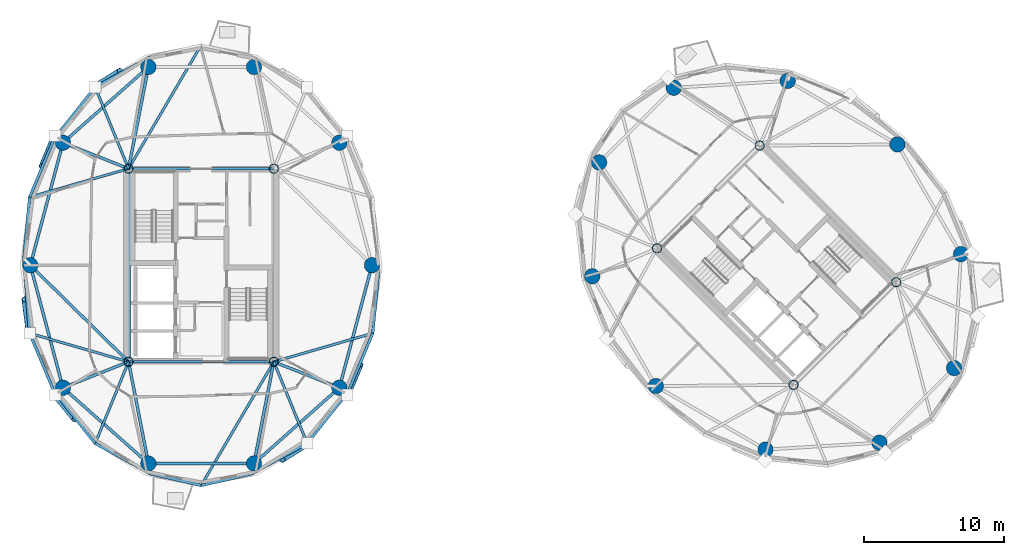
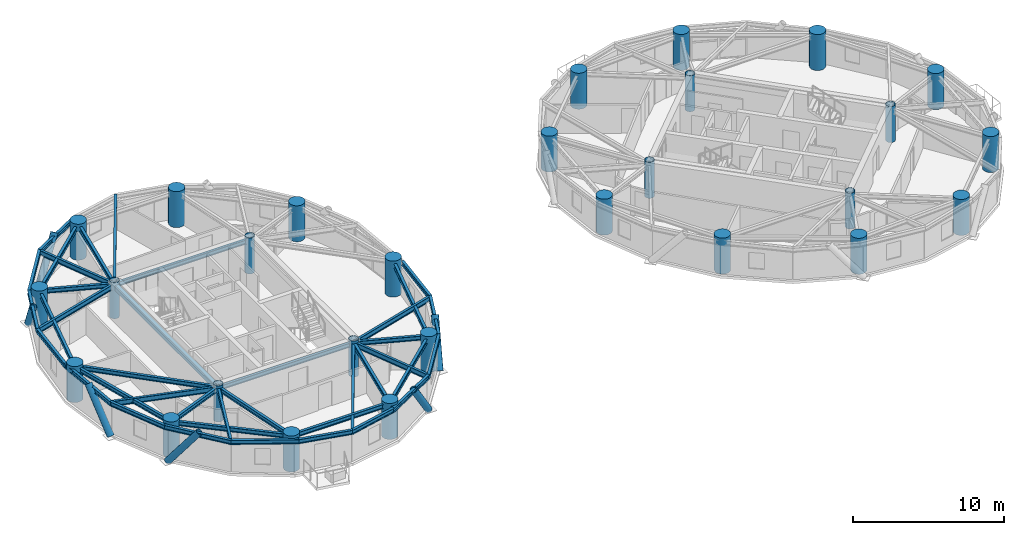
# One storey, part 1 of 16: 39 beams, 28 columns, 6 members.
"""IFC4 building model written with IfcOpenShell, lengths in metres."""

from ifc_helpers import new_model, si_unit, direction, frame, origin, origin_2d, place, context, subcontext, project, spatial, hollow_rectangle, circle, hollow_circle, i_section, extrude, material, material_profile, profile_set, type_object, element, save


model = new_model("IFC4")

# Units and contexts
model_context = context("Model", 3, precision=1e-05, world=origin(), true_north=direction((0.0, 1.0)))
body_context = subcontext(model_context, "Body", "Model", "MODEL_VIEW")
ifc_project = project(units=[si_unit("LENGTHUNIT", "METRE"), si_unit("AREAUNIT", "SQUARE_METRE"), si_unit("VOLUMEUNIT", "CUBIC_METRE"), si_unit("PLANEANGLEUNIT", "RADIAN"), si_unit("MASSUNIT", "GRAM", prefix="KILO")], contexts=[model_context])

# Site, building, storey
site_placement = place(None, origin())
site = spatial("IfcSite", under=ifc_project, at=site_placement, CompositionType="ELEMENT")
building_placement = place(site_placement, origin())
building = spatial("IfcBuilding", under=site, at=building_placement, Name="Cununo Teusaquillo Station Towers", CompositionType="ELEMENT")
storey_placement = place(building_placement, frame((0.0, 0.0, 208.300048828125)))
storey = spatial("IfcBuildingStorey", under=building, at=storey_placement, Name="L66", CompositionType="ELEMENT", Elevation=208.300048828125)

# Columns
ifc_material_1 = material(Name="Steel EN 10025-2 S355J2", Category="steel")
ifc_material_profile_1 = material_profile(ifc_material_1, hollow_circle(Radius=0.330078125, WallThickness=0.02490234375, at=origin_2d()), Name="CHS 660x25")
ifc_profile_set_1 = profile_set([ifc_material_profile_1], Name="Steel EN 10025-2 S355J2")
column_type_1 = type_object("IfcColumnType", Name="COL-CORE-Z3", PredefinedType="COLUMN", material=ifc_profile_set_1)
for number, where, z_axis, x_axis, name in (
    (1, (11.324951171875, 17.6201171875, 0.0), (0.0, 0.0, 1.0), (1.0, 0.0, 0.0), "L66 Tower A Core Column 1"),
    (2, (11.324951171875, 31.3798828125, 0.0), (0.0, 0.0, 1.0), (1.0, 0.0, 0.0), "L66 Tower A Core Column 2"),
    (3, (21.675048828125, 17.6201171875, 0.0), (0.0, 0.0, 1.0), (1.0, 0.0, 0.0), "L66 Tower A Core Column 3"),
    (4, (21.675048828125, 31.3798828125, 0.0), (0.0, 0.0, 1.0), (1.0, 0.0, 0.0), "L66 Tower A Core Column 4"),
    (5, (58.70556640625, 15.975830078125, 0.0), (0.0, 0.0, 1.0), (0.707106781187, 0.707106781187, 0.0), "L66 Tower B Core Column 1"),
    (6, (48.975830078125, 25.70556640625, 0.0), (0.0, 0.0, 1.0), (0.707106781187, 0.707106781187, 0.0), "L66 Tower B Core Column 2"),
    (7, (66.024169921875, 23.29443359375, 0.0), (0.0, 0.0, 1.0), (0.707106781187, 0.707106781187, 0.0), "L66 Tower B Core Column 3"),
    (8, (56.29443359375, 33.024169921875, 0.0), (0.0, 0.0, 1.0), (0.707106781187, 0.707106781187, 0.0), "L66 Tower B Core Column 4"),
):
    element("IfcColumn", number, at=place(storey_placement, frame(where, z_axis=z_axis, x_axis=x_axis)), inside=storey, type_object=column_type_1, Name=name, PredefinedType="COLUMN", context=body_context, shape_type="SweptSolid", body=[
        extrude(hollow_circle(Radius=0.330078125, WallThickness=0.02490234375, at=origin_2d()), origin(), (0.0, 0.0, 1.0), 2.909912109375),
    ])
ifc_material_2 = material(Name="Concrete C50/60", Category="concrete")
ifc_material_profile_2 = material_profile(ifc_material_2, circle(Radius=0.550048828125, at=origin_2d()), Name="RC-CIRC-1100")
ifc_profile_set_2 = profile_set([ifc_material_profile_2], Name="Concrete C50/60")
column_type_2 = type_object("IfcColumnType", Name="COL-MEGA-Z4", PredefinedType="USERDEFINED", material=ifc_profile_set_2)
for number, where, z_axis, x_axis, name in (
    (9, (28.672119140625, 24.5, 0.0), (0.0, 0.0, 1.0), (1.0, 0.0, 0.0), "L66 Tower A Perimeter Column V00"),
    (10, (26.347412109375, 33.228515625, 0.0), (0.0, 0.0, 1.0), (1.0, 0.0, 0.0), "L66 Tower A Perimeter Column V02"),
    (11, (20.261474609375, 38.623291015625, 0.0), (0.0, 0.0, 1.0), (1.0, 0.0, 0.0), "L66 Tower A Perimeter Column V04"),
    (12, (12.738525390625, 38.623291015625, 0.0), (0.0, 0.0, 1.0), (1.0, 0.0, 0.0), "L66 Tower A Perimeter Column V06"),
    (13, (6.652587890625, 33.228515625, 0.0), (0.0, 0.0, 1.0), (1.0, 0.0, 0.0), "L66 Tower A Perimeter Column V08"),
    (14, (4.327880859375, 24.5, 0.0), (0.0, 0.0, 1.0), (1.0, 0.0, 0.0), "L66 Tower A Perimeter Column V10"),
    (15, (6.652587890625, 15.771484375, 0.0), (0.0, 0.0, 1.0), (1.0, 0.0, 0.0), "L66 Tower A Perimeter Column V12"),
    (16, (12.738525390625, 10.376708984375, 0.0), (0.0, 0.0, 1.0), (1.0, 0.0, 0.0), "L66 Tower A Perimeter Column V14"),
    (17, (20.261474609375, 10.376708984375, 0.0), (0.0, 0.0, 1.0), (1.0, 0.0, 0.0), "L66 Tower A Perimeter Column V16"),
    (18, (26.347412109375, 15.771484375, 0.0), (0.0, 0.0, 1.0), (1.0, 0.0, 0.0), "L66 Tower A Perimeter Column V18"),
    (19, (66.10693359375, 33.10693359375, 0.0), (0.0, 0.0, 1.0), (1.0, 0.0, 0.0), "L66 Tower B Perimeter Column V00"),
    (20, (58.291015625, 37.63525390625, 0.0), (0.0, 0.0, 1.0), (1.0, 0.0, 0.0), "L66 Tower B Perimeter Column V02"),
    (21, (50.173095703125, 37.146240234375, 0.0), (0.0, 0.0, 1.0), (1.0, 0.0, 0.0), "L66 Tower B Perimeter Column V04"),
    (22, (44.853759765625, 31.826904296875, 0.0), (0.0, 0.0, 1.0), (1.0, 0.0, 0.0), "L66 Tower B Perimeter Column V06"),
    (23, (44.36474609375, 23.708984375, 0.0), (0.0, 0.0, 1.0), (1.0, 0.0, 0.0), "L66 Tower B Perimeter Column V08"),
    (24, (48.89306640625, 15.89306640625, 0.0), (0.0, 0.0, 1.0), (1.0, 0.0, 0.0), "L66 Tower B Perimeter Column V10"),
    (25, (56.708984375, 11.36474609375, 0.0), (0.0, 0.0, 1.0), (1.0, 0.0, 0.0), "L66 Tower B Perimeter Column V12"),
    (26, (64.826904296875, 11.853759765625, 0.0), (0.0, 0.0, 1.0), (1.0, 0.0, 0.0), "L66 Tower B Perimeter Column V14"),
    (27, (70.146240234375, 17.173095703125, 0.0), (0.0, 0.0, 1.0), (1.0, 0.0, 0.0), "L66 Tower B Perimeter Column V16"),
    (28, (70.63525390625, 25.291015625, 0.0), (0.0, 0.0, 1.0), (1.0, 0.0, 0.0), "L66 Tower B Perimeter Column V18"),
):
    element("IfcColumn", number, at=place(storey_placement, frame(where, z_axis=z_axis, x_axis=x_axis)), inside=storey, type_object=column_type_2, Name=name, ObjectType="MEGA COLUMN", PredefinedType="USERDEFINED", context=body_context, shape_type="SweptSolid", body=[
        extrude(circle(Radius=0.550048828125, at=origin_2d()), origin(), (0.0, 0.0, 1.0), 2.909912109375),
    ])

# Beams
ifc_material_3 = material(Name="Steel EN 10025-2 S355J2", Category="steel")
ifc_material_profile_3 = material_profile(ifc_material_3, hollow_rectangle(XDim=0.25, YDim=0.449951171875, WallThickness=0.01611328125, at=origin_2d()), Name="RHS 450x250x16")
ifc_profile_set_3 = profile_set([ifc_material_profile_3], Name="Steel EN 10025-2 S355J2")
beam_type_1 = type_object("IfcBeamType", Name="BM-COUP-1", PredefinedType="USERDEFINED", material=ifc_profile_set_3)
beam_1_placement = place(storey_placement, frame((11.324951171875, 17.6201171875, 2.474853515625), z_axis=(0.0, 1.0, 0.0), x_axis=(-1.0, 0.0, 0.0)))
element("IfcBeam", 29, at=beam_1_placement, inside=storey, type_object=beam_type_1, Name="L66 Tower A Core Beam 1", ObjectType="COUPLING BEAM", PredefinedType="USERDEFINED", context=body_context, shape_type="SweptSolid", body=[
    extrude(hollow_rectangle(XDim=0.25, YDim=0.449951171875, WallThickness=0.01611328125, at=origin_2d()), origin(), (0.0, 0.0, 1.0), 13.759765625),
])
ifc_material_4 = material(Name="Steel ASTM A572 Grade 50", Category="steel")
ifc_material_profile_4 = material_profile(ifc_material_4, i_section(OverallWidth=0.180908203125, OverallDepth=0.4169921875, WebThickness=0.010986328125, FlangeThickness=0.018310546875, FilletRadius=0.012939453125, at=origin_2d()), Name="W16X57")
ifc_profile_set_4 = profile_set([ifc_material_profile_4], Name="Steel ASTM A572 Grade 50")
beam_type_2 = type_object("IfcBeamType", Name="BM-JOIST-1", PredefinedType="JOIST", material=ifc_profile_set_4)
beam_2_placement = place(storey_placement, frame((11.324951171875, 31.3798828125, 2.491455078125), z_axis=(0.506486432091, 0.862247930765, 0.0), x_axis=(-0.862247930765, 0.506486432091, 0.0)))
element("IfcBeam", 30, at=beam_2_placement, inside=storey, type_object=beam_type_2, Name="L66 Tower A Radial Spandrel Joist V05", PredefinedType="JOIST", context=body_context, shape_type="SweptSolid", body=[
    extrude(i_section(OverallWidth=0.180908203125, OverallDepth=0.4169921875, WebThickness=0.010986328125, FlangeThickness=0.018310546875, FilletRadius=0.012939453125, at=origin_2d()), origin(), (0.0, 0.0, 1.0), 10.217529296875),
])
beam_3_placement = place(storey_placement, frame((11.324951171875, 31.3798828125, 2.491455078125), z_axis=(-0.378576847217, 0.925569862707, 0.0), x_axis=(-0.925569862707, -0.378576847217, 0.0)))
element("IfcBeam", 31, at=beam_3_placement, inside=storey, type_object=beam_type_2, Name="L66 Tower A Radial Spandrel Joist V07", PredefinedType="JOIST", context=body_context, shape_type="SweptSolid", body=[
    extrude(i_section(OverallWidth=0.180908203125, OverallDepth=0.4169921875, WebThickness=0.010986328125, FlangeThickness=0.018310546875, FilletRadius=0.012939453125, at=origin_2d()), origin(), (0.0, 0.0, 1.0), 6.28125),
])
for number, where, z_axis, x_axis, name in (
    (32, (11.324951171875, 31.3798828125, 2.491455078125), (-0.960861603375, -0.277028841748, 0.0), (0.277028841748, -0.960861603375, 0.0), "L66 Tower A Radial Spandrel Joist V09"),
    (33, (11.324951171875, 17.6201171875, 2.491455078125), (-0.960861603375, 0.277028841748, 0.0), (-0.277028841748, -0.960861603375, 0.0), "L66 Tower A Radial Spandrel Joist V11"),
):
    element("IfcBeam", number, at=place(storey_placement, frame(where, z_axis=z_axis, x_axis=x_axis)), inside=storey, type_object=beam_type_2, Name=name, PredefinedType="JOIST", context=body_context, shape_type="SweptSolid", body=[
        extrude(i_section(OverallWidth=0.180908203125, OverallDepth=0.4169921875, WebThickness=0.010986328125, FlangeThickness=0.018310546875, FilletRadius=0.012939453125, at=origin_2d()), origin(), (0.0, 0.0, 1.0), 7.333251953125),
    ])
beam_4_placement = place(storey_placement, frame((11.324951171875, 17.6201171875, 2.491455078125), z_axis=(-0.378576847217, -0.925569862707, 0.0), x_axis=(0.925569862707, -0.378576847217, 0.0)))
element("IfcBeam", 34, at=beam_4_placement, inside=storey, type_object=beam_type_2, Name="L66 Tower A Radial Spandrel Joist V13", PredefinedType="JOIST", context=body_context, shape_type="SweptSolid", body=[
    extrude(i_section(OverallWidth=0.180908203125, OverallDepth=0.4169921875, WebThickness=0.010986328125, FlangeThickness=0.018310546875, FilletRadius=0.012939453125, at=origin_2d()), origin(), (0.0, 0.0, 1.0), 6.28125),
])
beam_5_placement = place(storey_placement, frame((21.675048828125, 17.6201171875, 2.491455078125), z_axis=(-0.506486432091, -0.862247930765, 0.0), x_axis=(0.862247930765, -0.506486432091, 0.0)))
element("IfcBeam", 35, at=beam_5_placement, inside=storey, type_object=beam_type_2, Name="L66 Tower A Radial Spandrel Joist V15", PredefinedType="JOIST", context=body_context, shape_type="SweptSolid", body=[
    extrude(i_section(OverallWidth=0.180908203125, OverallDepth=0.4169921875, WebThickness=0.010986328125, FlangeThickness=0.018310546875, FilletRadius=0.012939453125, at=origin_2d()), origin(), (0.0, 0.0, 1.0), 10.217529296875),
])
beam_6_placement = place(storey_placement, frame((21.675048828125, 17.6201171875, 2.491455078125), z_axis=(0.378576847217, -0.925569862707, 0.0), x_axis=(0.925569862707, 0.378576847217, 0.0)))
element("IfcBeam", 36, at=beam_6_placement, inside=storey, type_object=beam_type_2, Name="L66 Tower A Radial Spandrel Joist V17", PredefinedType="JOIST", context=body_context, shape_type="SweptSolid", body=[
    extrude(i_section(OverallWidth=0.180908203125, OverallDepth=0.4169921875, WebThickness=0.010986328125, FlangeThickness=0.018310546875, FilletRadius=0.012939453125, at=origin_2d()), origin(), (0.0, 0.0, 1.0), 6.28125),
])
beam_7_placement = place(storey_placement, frame((21.675048828125, 17.6201171875, 2.491455078125), z_axis=(0.960861603375, 0.277028841748, 0.0), x_axis=(-0.277028841748, 0.960861603375, 0.0)))
element("IfcBeam", 37, at=beam_7_placement, inside=storey, type_object=beam_type_2, Name="L66 Tower A Radial Spandrel Joist V19", PredefinedType="JOIST", context=body_context, shape_type="SweptSolid", body=[
    extrude(i_section(OverallWidth=0.180908203125, OverallDepth=0.4169921875, WebThickness=0.010986328125, FlangeThickness=0.018310546875, FilletRadius=0.012939453125, at=origin_2d()), origin(), (0.0, 0.0, 1.0), 7.333251953125),
])
ifc_material_5 = material(Name="Steel ASTM A572 Grade 50", Category="steel")
ifc_material_profile_5 = material_profile(ifc_material_5, i_section(OverallWidth=0.2041015625, OverallDepth=0.35009765625, WebThickness=0.008544921875, FlangeThickness=0.01513671875, FilletRadius=0.011962890625, at=origin_2d()), Name="W14X48")
ifc_profile_set_5 = profile_set([ifc_material_profile_5], Name="Steel ASTM A572 Grade 50")
beam_type_3 = type_object("IfcBeamType", Name="BM-LINTEL-1", PredefinedType="LINTEL", material=ifc_profile_set_5)
for number, where, z_axis, x_axis, name in (
    (38, (11.324951171875, 17.6201171875, 2.52490234375), (1.0, 0.0, 0.0), (0.0, 1.0, 0.0), "L66 Tower A Core Beam 3"),
    (39, (11.324951171875, 31.3798828125, 2.52490234375), (1.0, 0.0, 0.0), (0.0, 1.0, 0.0), "L66 Tower A Core Beam 4"),
):
    element("IfcBeam", number, at=place(storey_placement, frame(where, z_axis=z_axis, x_axis=x_axis)), inside=storey, type_object=beam_type_3, Name=name, PredefinedType="LINTEL", context=body_context, shape_type="SweptSolid", body=[
        extrude(i_section(OverallWidth=0.2041015625, OverallDepth=0.35009765625, WebThickness=0.008544921875, FlangeThickness=0.01513671875, FilletRadius=0.011962890625, at=origin_2d()), origin(), (0.0, 0.0, 1.0), 10.35009765625),
    ])
ifc_material_6 = material(Name="Steel ASTM A572 Grade 50", Category="steel")
ifc_material_profile_6 = material_profile(ifc_material_6, i_section(OverallWidth=0.2041015625, OverallDepth=0.35009765625, WebThickness=0.008544921875, FlangeThickness=0.01513671875, FilletRadius=0.011962890625, at=origin_2d()), Name="W14X48")
ifc_profile_set_6 = profile_set([ifc_material_profile_6], Name="Steel ASTM A572 Grade 50")
beam_type_4 = type_object("IfcBeamType", Name="BM-RAD-G3", PredefinedType="BEAM", material=ifc_profile_set_6)
beam_8_placement = place(storey_placement, frame((11.324951171875, 31.3798828125, 2.52490234375), z_axis=(0.191548487699, 0.981483151593, 0.0), x_axis=(-0.981483151593, 0.191548487699, 0.0)))
element("IfcBeam", 40, at=beam_8_placement, inside=storey, type_object=beam_type_4, Name="L66 Tower A Continuous Overhanging Radial Girder 04", PredefinedType="BEAM", context=body_context, shape_type="SweptSolid", body=[
    extrude(i_section(OverallWidth=0.2041015625, OverallDepth=0.35009765625, WebThickness=0.008544921875, FlangeThickness=0.01513671875, FilletRadius=0.011962890625, at=origin_2d()), origin(), (0.0, 0.0, 1.0), 8.1240234375),
])
beam_9_placement = place(storey_placement, frame((11.324951171875, 31.3798828125, 2.52490234375), z_axis=(-0.929851670487, 0.36793460138, 0.0), x_axis=(-0.36793460138, -0.929851670487, 0.0)))
element("IfcBeam", 41, at=beam_9_placement, inside=storey, type_object=beam_type_4, Name="L66 Tower A Continuous Overhanging Radial Girder 05", PredefinedType="BEAM", context=body_context, shape_type="SweptSolid", body=[
    extrude(i_section(OverallWidth=0.2041015625, OverallDepth=0.35009765625, WebThickness=0.008544921875, FlangeThickness=0.01513671875, FilletRadius=0.011962890625, at=origin_2d()), origin(), (0.0, 0.0, 1.0), 5.71630859375),
])
beam_10_placement = place(storey_placement, frame((11.324951171875, 17.6201171875, 2.52490234375), z_axis=(-0.713052701438, 0.701110437073, 0.0), x_axis=(-0.701110437073, -0.713052701438, 0.0)))
element("IfcBeam", 42, at=beam_10_placement, inside=storey, type_object=beam_type_4, Name="L66 Tower A Radial Girder 06A", PredefinedType="BEAM", context=body_context, shape_type="SweptSolid", body=[
    extrude(i_section(OverallWidth=0.2041015625, OverallDepth=0.35009765625, WebThickness=0.008544921875, FlangeThickness=0.01513671875, FilletRadius=0.011962890625, at=origin_2d()), origin(), (0.0, 0.0, 1.0), 9.812744140625),
])
beam_11_placement = place(storey_placement, frame((11.324951171875, 17.6201171875, 2.52490234375), z_axis=(-0.929851670487, -0.36793460138, 0.0), x_axis=(0.36793460138, -0.929851670487, 0.0)))
element("IfcBeam", 43, at=beam_11_placement, inside=storey, type_object=beam_type_4, Name="L66 Tower A Continuous Overhanging Radial Girder 07", PredefinedType="BEAM", context=body_context, shape_type="SweptSolid", body=[
    extrude(i_section(OverallWidth=0.2041015625, OverallDepth=0.35009765625, WebThickness=0.008544921875, FlangeThickness=0.01513671875, FilletRadius=0.011962890625, at=origin_2d()), origin(), (0.0, 0.0, 1.0), 5.71630859375),
])
for number, where, z_axis, x_axis, name in (
    (44, (11.324951171875, 17.6201171875, 2.52490234375), (0.191548487699, -0.981483151593, 0.0), (0.981483151593, 0.191548487699, 0.0), "L66 Tower A Continuous Overhanging Radial Girder 08"),
    (45, (21.675048828125, 17.6201171875, 2.52490234375), (-0.191548487699, -0.981483151593, 0.0), (0.981483151593, -0.191548487699, 0.0), "L66 Tower A Continuous Overhanging Radial Girder 09"),
):
    element("IfcBeam", number, at=place(storey_placement, frame(where, z_axis=z_axis, x_axis=x_axis)), inside=storey, type_object=beam_type_4, Name=name, PredefinedType="BEAM", context=body_context, shape_type="SweptSolid", body=[
        extrude(i_section(OverallWidth=0.2041015625, OverallDepth=0.35009765625, WebThickness=0.008544921875, FlangeThickness=0.01513671875, FilletRadius=0.011962890625, at=origin_2d()), origin(), (0.0, 0.0, 1.0), 8.1240234375),
    ])
beam_12_placement = place(storey_placement, frame((21.675048828125, 17.6201171875, 2.52490234375), z_axis=(0.929851670487, -0.36793460138, 0.0), x_axis=(0.36793460138, 0.929851670487, 0.0)))
element("IfcBeam", 46, at=beam_12_placement, inside=storey, type_object=beam_type_4, Name="L66 Tower A Continuous Overhanging Radial Girder 10", PredefinedType="BEAM", context=body_context, shape_type="SweptSolid", body=[
    extrude(i_section(OverallWidth=0.2041015625, OverallDepth=0.35009765625, WebThickness=0.008544921875, FlangeThickness=0.01513671875, FilletRadius=0.011962890625, at=origin_2d()), origin(), (0.0, 0.0, 1.0), 5.71630859375),
])
ifc_material_7 = material(Name="Steel ASTM A572 Grade 50", Category="steel")
ifc_material_profile_7 = material_profile(ifc_material_7, i_section(OverallWidth=0.2041015625, OverallDepth=0.35009765625, WebThickness=0.008544921875, FlangeThickness=0.01513671875, FilletRadius=0.011962890625, at=origin_2d()), Name="W14X48")
ifc_profile_set_7 = profile_set([ifc_material_profile_7], Name="Steel ASTM A572 Grade 50")
beam_type_5 = type_object("IfcBeamType", Name="BM-RING-Z4", PredefinedType="SPANDREL", material=ifc_profile_set_7)
beam_13_placement = place(storey_placement, frame((12.738525390625, 38.623291015625, 2.52490234375), z_axis=(-0.74832120039, -0.66333655187, 0.0), x_axis=(0.66333655187, -0.74832120039, 0.0)))
element("IfcBeam", 47, at=beam_13_placement, inside=storey, type_object=beam_type_5, Name="L66 Tower A Structural Column Ring Girder 04", PredefinedType="SPANDREL", context=body_context, shape_type="SweptSolid", body=[
    extrude(i_section(OverallWidth=0.2041015625, OverallDepth=0.35009765625, WebThickness=0.008544921875, FlangeThickness=0.01513671875, FilletRadius=0.011962890625, at=origin_2d()), origin(), (0.0, 0.0, 1.0), 8.1328125),
])
for number, where, z_axis, x_axis, name in (
    (48, (6.652587890625, 33.228515625, 2.52490234375), (-0.257363196347, -0.966314744359, 0.0), (0.966314744359, -0.257363196347, 0.0), "L66 Tower A Structural Column Ring Girder 05"),
    (49, (4.327880859375, 24.5, 2.52490234375), (0.257363196347, -0.966314744359, 0.0), (0.966314744359, 0.257363196347, 0.0), "L66 Tower A Structural Column Ring Girder 06"),
):
    element("IfcBeam", number, at=place(storey_placement, frame(where, z_axis=z_axis, x_axis=x_axis)), inside=storey, type_object=beam_type_5, Name=name, PredefinedType="SPANDREL", context=body_context, shape_type="SweptSolid", body=[
        extrude(i_section(OverallWidth=0.2041015625, OverallDepth=0.35009765625, WebThickness=0.008544921875, FlangeThickness=0.01513671875, FilletRadius=0.011962890625, at=origin_2d()), origin(), (0.0, 0.0, 1.0), 9.03271484375),
    ])
beam_14_placement = place(storey_placement, frame((6.652587890625, 15.771484375, 2.52490234375), z_axis=(0.74832120039, -0.66333655187, 0.0), x_axis=(0.66333655187, 0.74832120039, 0.0)))
element("IfcBeam", 50, at=beam_14_placement, inside=storey, type_object=beam_type_5, Name="L66 Tower A Structural Column Ring Girder 07", PredefinedType="SPANDREL", context=body_context, shape_type="SweptSolid", body=[
    extrude(i_section(OverallWidth=0.2041015625, OverallDepth=0.35009765625, WebThickness=0.008544921875, FlangeThickness=0.01513671875, FilletRadius=0.011962890625, at=origin_2d()), origin(), (0.0, 0.0, 1.0), 8.1328125),
])
beam_15_placement = place(storey_placement, frame((12.738525390625, 10.376708984375, 2.52490234375), z_axis=(1.0, 0.0, 0.0), x_axis=(0.0, 1.0, 0.0)))
element("IfcBeam", 51, at=beam_15_placement, inside=storey, type_object=beam_type_5, Name="L66 Tower A Structural Column Ring Girder 08", PredefinedType="SPANDREL", context=body_context, shape_type="SweptSolid", body=[
    extrude(i_section(OverallWidth=0.2041015625, OverallDepth=0.35009765625, WebThickness=0.008544921875, FlangeThickness=0.01513671875, FilletRadius=0.011962890625, at=origin_2d()), origin(), (0.0, 0.0, 1.0), 7.52294921875),
])
beam_16_placement = place(storey_placement, frame((20.261474609375, 10.376708984375, 2.52490234375), z_axis=(0.74832120039, 0.66333655187, 0.0), x_axis=(-0.66333655187, 0.74832120039, 0.0)))
element("IfcBeam", 52, at=beam_16_placement, inside=storey, type_object=beam_type_5, Name="L66 Tower A Structural Column Ring Girder 09", PredefinedType="SPANDREL", context=body_context, shape_type="SweptSolid", body=[
    extrude(i_section(OverallWidth=0.2041015625, OverallDepth=0.35009765625, WebThickness=0.008544921875, FlangeThickness=0.01513671875, FilletRadius=0.011962890625, at=origin_2d()), origin(), (0.0, 0.0, 1.0), 8.1328125),
])
beam_17_placement = place(storey_placement, frame((26.347412109375, 15.771484375, 2.52490234375), z_axis=(0.257363196347, 0.966314744359, 0.0), x_axis=(-0.966314744359, 0.257363196347, 0.0)))
element("IfcBeam", 53, at=beam_17_placement, inside=storey, type_object=beam_type_5, Name="L66 Tower A Structural Column Ring Girder 10", PredefinedType="SPANDREL", context=body_context, shape_type="SweptSolid", body=[
    extrude(i_section(OverallWidth=0.2041015625, OverallDepth=0.35009765625, WebThickness=0.008544921875, FlangeThickness=0.01513671875, FilletRadius=0.011962890625, at=origin_2d()), origin(), (0.0, 0.0, 1.0), 9.03271484375),
])
beam_18_placement = place(storey_placement, frame((12.881103515625, 39.353515625, 2.52490234375), z_axis=(-0.876576300909, -0.481262910149, 0.0), x_axis=(0.481262910149, -0.876576300909, 0.0)))
element("IfcBeam", 54, at=beam_18_placement, inside=storey, type_object=beam_type_5, Name="L66 Tower A Spandrel Ring Beam 07", PredefinedType="SPANDREL", context=body_context, shape_type="SweptSolid", body=[
    extrude(i_section(OverallWidth=0.2041015625, OverallDepth=0.35009765625, WebThickness=0.008544921875, FlangeThickness=0.01513671875, FilletRadius=0.011962890625, at=origin_2d()), origin(), (0.0, 0.0, 1.0), 4.488037109375),
])
beam_19_placement = place(storey_placement, frame((8.947021484375, 37.193603515625, 2.52490234375), z_axis=(-0.620710872531, -0.784039547932, 0.0), x_axis=(0.784039547932, -0.620710872531, 0.0)))
element("IfcBeam", 55, at=beam_19_placement, inside=storey, type_object=beam_type_5, Name="L66 Tower A Spandrel Ring Beam 08", PredefinedType="SPANDREL", context=body_context, shape_type="SweptSolid", body=[
    extrude(i_section(OverallWidth=0.2041015625, OverallDepth=0.35009765625, WebThickness=0.008544921875, FlangeThickness=0.01513671875, FilletRadius=0.011962890625, at=origin_2d()), origin(), (0.0, 0.0, 1.0), 4.732421875),
])
beam_20_placement = place(storey_placement, frame((6.009521484375, 33.483154296875, 2.52490234375), z_axis=(-0.386115454066, -0.922450462698, 0.0), x_axis=(0.922450462698, -0.386115454066, 0.0)))
element("IfcBeam", 56, at=beam_20_placement, inside=storey, type_object=beam_type_5, Name="L66 Tower A Spandrel Ring Beam 09", PredefinedType="SPANDREL", context=body_context, shape_type="SweptSolid", body=[
    extrude(i_section(OverallWidth=0.2041015625, OverallDepth=0.35009765625, WebThickness=0.008544921875, FlangeThickness=0.01513671875, FilletRadius=0.011962890625, at=origin_2d()), origin(), (0.0, 0.0, 1.0), 4.482421875),
])
beam_21_placement = place(storey_placement, frame((4.27880859375, 29.348388671875, 2.52490234375), z_axis=(-0.093902932611, -0.995581357422, 0.0), x_axis=(0.995581357422, -0.093902932611, 0.0)))
element("IfcBeam", 57, at=beam_21_placement, inside=storey, type_object=beam_type_5, Name="L66 Tower A Spandrel Ring Beam 10", PredefinedType="SPANDREL", context=body_context, shape_type="SweptSolid", body=[
    extrude(i_section(OverallWidth=0.2041015625, OverallDepth=0.35009765625, WebThickness=0.008544921875, FlangeThickness=0.01513671875, FilletRadius=0.011962890625, at=origin_2d()), origin(), (0.0, 0.0, 1.0), 4.412109375),
])
beam_22_placement = place(storey_placement, frame((3.864501953125, 24.955810546875, 2.52490234375), z_axis=(0.077871988965, -0.996963366095, 0.0), x_axis=(0.996963366095, 0.077871988965, 0.0)))
element("IfcBeam", 58, at=beam_22_placement, inside=storey, type_object=beam_type_5, Name="L66 Tower A Spandrel Ring Beam 11", PredefinedType="SPANDREL", context=body_context, shape_type="SweptSolid", body=[
    extrude(i_section(OverallWidth=0.2041015625, OverallDepth=0.35009765625, WebThickness=0.008544921875, FlangeThickness=0.01513671875, FilletRadius=0.011962890625, at=origin_2d()), origin(), (0.0, 0.0, 1.0), 5.3203125),
])
beam_23_placement = place(storey_placement, frame((4.27880859375, 19.651611328125, 2.52490234375), z_axis=(0.386115454066, -0.922450462698, 0.0), x_axis=(0.922450462698, 0.386115454066, 0.0)))
element("IfcBeam", 59, at=beam_23_placement, inside=storey, type_object=beam_type_5, Name="L66 Tower A Spandrel Ring Beam 12", PredefinedType="SPANDREL", context=body_context, shape_type="SweptSolid", body=[
    extrude(i_section(OverallWidth=0.2041015625, OverallDepth=0.35009765625, WebThickness=0.008544921875, FlangeThickness=0.01513671875, FilletRadius=0.011962890625, at=origin_2d()), origin(), (0.0, 0.0, 1.0), 4.482421875),
])
beam_24_placement = place(storey_placement, frame((6.009521484375, 15.516845703125, 2.52490234375), z_axis=(0.620710872531, -0.784039547932, 0.0), x_axis=(0.784039547932, 0.620710872531, 0.0)))
element("IfcBeam", 60, at=beam_24_placement, inside=storey, type_object=beam_type_5, Name="L66 Tower A Spandrel Ring Beam 13", PredefinedType="SPANDREL", context=body_context, shape_type="SweptSolid", body=[
    extrude(i_section(OverallWidth=0.2041015625, OverallDepth=0.35009765625, WebThickness=0.008544921875, FlangeThickness=0.01513671875, FilletRadius=0.011962890625, at=origin_2d()), origin(), (0.0, 0.0, 1.0), 4.732421875),
])
beam_25_placement = place(storey_placement, frame((8.947021484375, 11.806396484375, 2.52490234375), z_axis=(0.876576300909, -0.481262910149, 0.0), x_axis=(0.481262910149, 0.876576300909, 0.0)))
element("IfcBeam", 61, at=beam_25_placement, inside=storey, type_object=beam_type_5, Name="L66 Tower A Spandrel Ring Beam 14", PredefinedType="SPANDREL", context=body_context, shape_type="SweptSolid", body=[
    extrude(i_section(OverallWidth=0.2041015625, OverallDepth=0.35009765625, WebThickness=0.008544921875, FlangeThickness=0.01513671875, FilletRadius=0.011962890625, at=origin_2d()), origin(), (0.0, 0.0, 1.0), 4.488037109375),
])
for number, where, z_axis, x_axis, name in (
    (62, (12.881103515625, 9.646484375, 2.52490234375), (0.97431470066, -0.225190728224, 0.0), (0.225190728224, 0.97431470066, 0.0), "L66 Tower A Spandrel Ring Beam 15"),
    (63, (16.5, 8.81005859375, 2.52490234375), (0.97431470066, 0.225190728224, 0.0), (-0.225190728224, 0.97431470066, 0.0), "L66 Tower A Spandrel Ring Beam 16"),
):
    element("IfcBeam", number, at=place(storey_placement, frame(where, z_axis=z_axis, x_axis=x_axis)), inside=storey, type_object=beam_type_5, Name=name, PredefinedType="SPANDREL", context=body_context, shape_type="SweptSolid", body=[
        extrude(i_section(OverallWidth=0.2041015625, OverallDepth=0.35009765625, WebThickness=0.008544921875, FlangeThickness=0.01513671875, FilletRadius=0.011962890625, at=origin_2d()), origin(), (0.0, 0.0, 1.0), 3.71435546875),
    ])
beam_26_placement = place(storey_placement, frame((20.118896484375, 9.646484375, 2.52490234375), z_axis=(0.876576300909, 0.481262910149, 0.0), x_axis=(-0.481262910149, 0.876576300909, 0.0)))
element("IfcBeam", 64, at=beam_26_placement, inside=storey, type_object=beam_type_5, Name="L66 Tower A Spandrel Ring Beam 17", PredefinedType="SPANDREL", context=body_context, shape_type="SweptSolid", body=[
    extrude(i_section(OverallWidth=0.2041015625, OverallDepth=0.35009765625, WebThickness=0.008544921875, FlangeThickness=0.01513671875, FilletRadius=0.011962890625, at=origin_2d()), origin(), (0.0, 0.0, 1.0), 4.488037109375),
])
beam_27_placement = place(storey_placement, frame((24.052978515625, 11.806396484375, 2.52490234375), z_axis=(0.620710872531, 0.784039547932, 0.0), x_axis=(-0.784039547932, 0.620710872531, 0.0)))
element("IfcBeam", 65, at=beam_27_placement, inside=storey, type_object=beam_type_5, Name="L66 Tower A Spandrel Ring Beam 18", PredefinedType="SPANDREL", context=body_context, shape_type="SweptSolid", body=[
    extrude(i_section(OverallWidth=0.2041015625, OverallDepth=0.35009765625, WebThickness=0.008544921875, FlangeThickness=0.01513671875, FilletRadius=0.011962890625, at=origin_2d()), origin(), (0.0, 0.0, 1.0), 4.732421875),
])
beam_28_placement = place(storey_placement, frame((26.990478515625, 15.516845703125, 2.52490234375), z_axis=(0.386115454066, 0.922450462698, 0.0), x_axis=(-0.922450462698, 0.386115454066, 0.0)))
element("IfcBeam", 66, at=beam_28_placement, inside=storey, type_object=beam_type_5, Name="L66 Tower A Spandrel Ring Beam 19", PredefinedType="SPANDREL", context=body_context, shape_type="SweptSolid", body=[
    extrude(i_section(OverallWidth=0.2041015625, OverallDepth=0.35009765625, WebThickness=0.008544921875, FlangeThickness=0.01513671875, FilletRadius=0.011962890625, at=origin_2d()), origin(), (0.0, 0.0, 1.0), 4.482421875),
])
beam_29_placement = place(storey_placement, frame((28.72119140625, 19.651611328125, 2.52490234375), z_axis=(0.093902932611, 0.995581357422, 0.0), x_axis=(-0.995581357422, 0.093902932611, 0.0)))
element("IfcBeam", 67, at=beam_29_placement, inside=storey, type_object=beam_type_5, Name="L66 Tower A Spandrel Ring Beam 20", PredefinedType="SPANDREL", context=body_context, shape_type="SweptSolid", body=[
    extrude(i_section(OverallWidth=0.2041015625, OverallDepth=0.35009765625, WebThickness=0.008544921875, FlangeThickness=0.01513671875, FilletRadius=0.011962890625, at=origin_2d()), origin(), (0.0, 0.0, 1.0), 4.412109375),
])

# Members
ifc_material_8 = material(Name="Steel EN 10025-2 S355J2", Category="steel")
ifc_material_profile_8 = material_profile(ifc_material_8, hollow_circle(Radius=0.25390625, WallThickness=0.01806640625, at=origin_2d()), Name="CHS 508x18")
ifc_profile_set_8 = profile_set([ifc_material_profile_8], Name="Steel EN 10025-2 S355J2")
member_type = type_object("IfcMemberType", Name="MBR-DIAG-Z4", PredefinedType="BRACE", material=ifc_profile_set_8)
member_1_placement = place(storey_placement, frame((8.947021484375, 37.193603515625, -0.14013671875), z_axis=(0.49830633528, 0.310015010117, 0.809679868666), x_axis=(-0.528249968439, 0.849088906325, 0.0)))
element("IfcMember", 68, at=member_1_placement, inside=storey, type_object=member_type, Name="L66 Tower A Folded-Zigzag Diagrid Tube C06", PredefinedType="BRACE", context=body_context, shape_type="SweptSolid", body=[
    extrude(hollow_circle(Radius=0.25390625, WallThickness=0.01806640625, at=origin_2d()), origin(), (0.0, 0.0, 1.0), 3.59423828125),
])
member_2_placement = place(storey_placement, frame((6.10400390625, 33.722412109375, -0.14013671875), z_axis=(-0.243166093577, -0.582739932119, 0.775425317131), x_axis=(0.922875628603, -0.385098135713, 0.0)))
element("IfcMember", 69, at=member_2_placement, inside=storey, type_object=member_type, Name="L66 Tower A Folded-Zigzag Diagrid Tube C08", PredefinedType="BRACE", context=body_context, shape_type="SweptSolid", body=[
    extrude(hollow_circle(Radius=0.25390625, WallThickness=0.01806640625, at=origin_2d()), origin(), (0.0, 0.0, 1.0), 3.7529296875),
])
member_3_placement = place(storey_placement, frame((4.27880859375, 19.651611328125, -0.14013671875), z_axis=(-0.082675516768, 0.637828442881, 0.765728173949), x_axis=(-0.991703685637, -0.128544933368, 0.0)))
element("IfcMember", 70, at=member_3_placement, inside=storey, type_object=member_type, Name="L66 Tower A Folded-Zigzag Diagrid Tube C10", PredefinedType="BRACE", context=body_context, shape_type="SweptSolid", body=[
    extrude(hollow_circle(Radius=0.25390625, WallThickness=0.01806640625, at=origin_2d()), origin(), (0.0, 0.0, 1.0), 3.800537109375),
])
member_4_placement = place(storey_placement, frame((6.10400390625, 15.277587890625, -0.14013671875), z_axis=(0.386828940437, -0.47234059388, 0.791996044317), x_axis=(0.773661438449, 0.633599225581, 0.0)))
element("IfcMember", 71, at=member_4_placement, inside=storey, type_object=member_type, Name="L66 Tower A Folded-Zigzag Diagrid Tube C12", PredefinedType="BRACE", context=body_context, shape_type="SweptSolid", body=[
    extrude(hollow_circle(Radius=0.25390625, WallThickness=0.01806640625, at=origin_2d()), origin(), (0.0, 0.0, 1.0), 3.674560546875),
])
member_5_placement = place(storey_placement, frame((24.052978515625, 11.806396484375, -0.14013671875), z_axis=(-0.49830633528, -0.310015010117, 0.809679868666), x_axis=(0.528249968439, -0.849088906325, 0.0)))
element("IfcMember", 72, at=member_5_placement, inside=storey, type_object=member_type, Name="L66 Tower A Folded-Zigzag Diagrid Tube C16", PredefinedType="BRACE", context=body_context, shape_type="SweptSolid", body=[
    extrude(hollow_circle(Radius=0.25390625, WallThickness=0.01806640625, at=origin_2d()), origin(), (0.0, 0.0, 1.0), 3.59423828125),
])
member_6_placement = place(storey_placement, frame((26.89599609375, 15.277587890625, -0.14013671875), z_axis=(0.243166093577, 0.582739932119, 0.775425317131), x_axis=(-0.922875628603, 0.385098135713, 0.0)))
element("IfcMember", 73, at=member_6_placement, inside=storey, type_object=member_type, Name="L66 Tower A Folded-Zigzag Diagrid Tube C18", PredefinedType="BRACE", context=body_context, shape_type="SweptSolid", body=[
    extrude(hollow_circle(Radius=0.25390625, WallThickness=0.01806640625, at=origin_2d()), origin(), (0.0, 0.0, 1.0), 3.7529296875),
])

save(model, "model.ifc")
